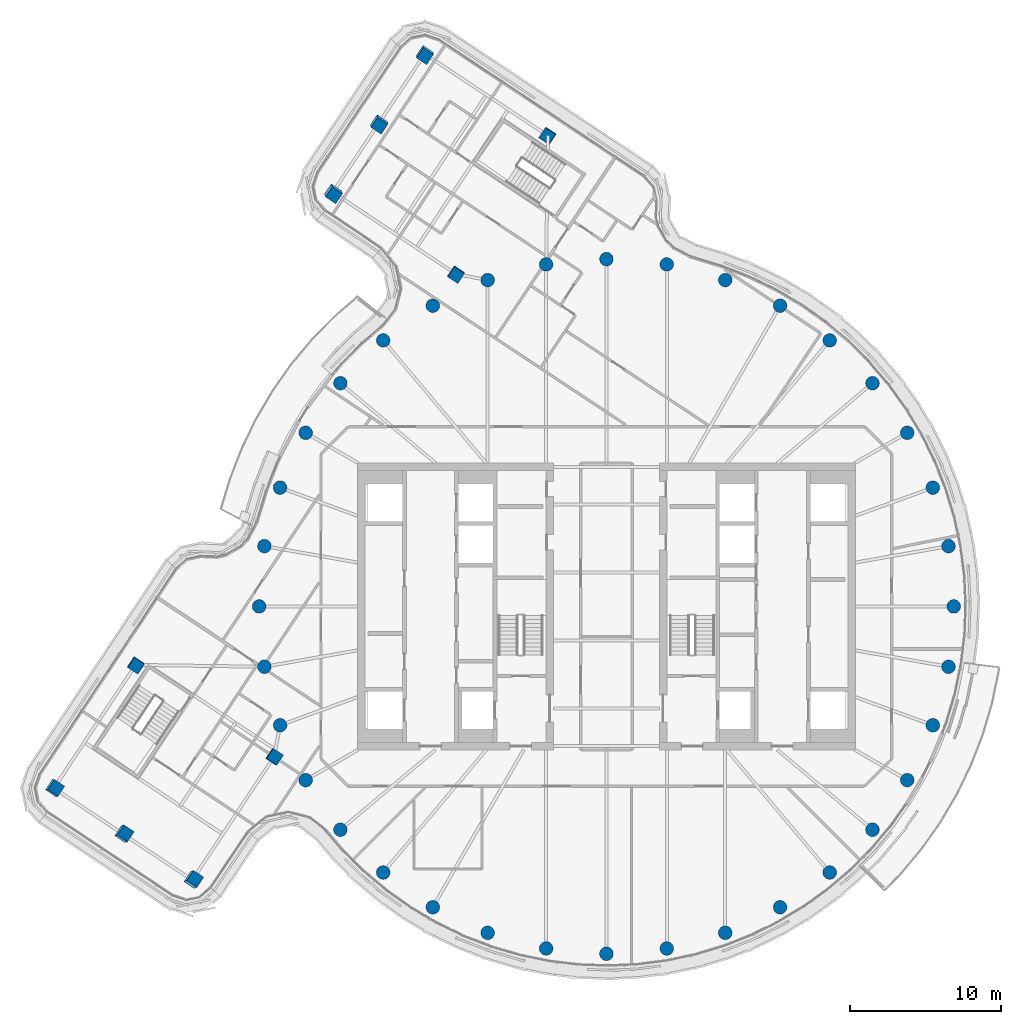
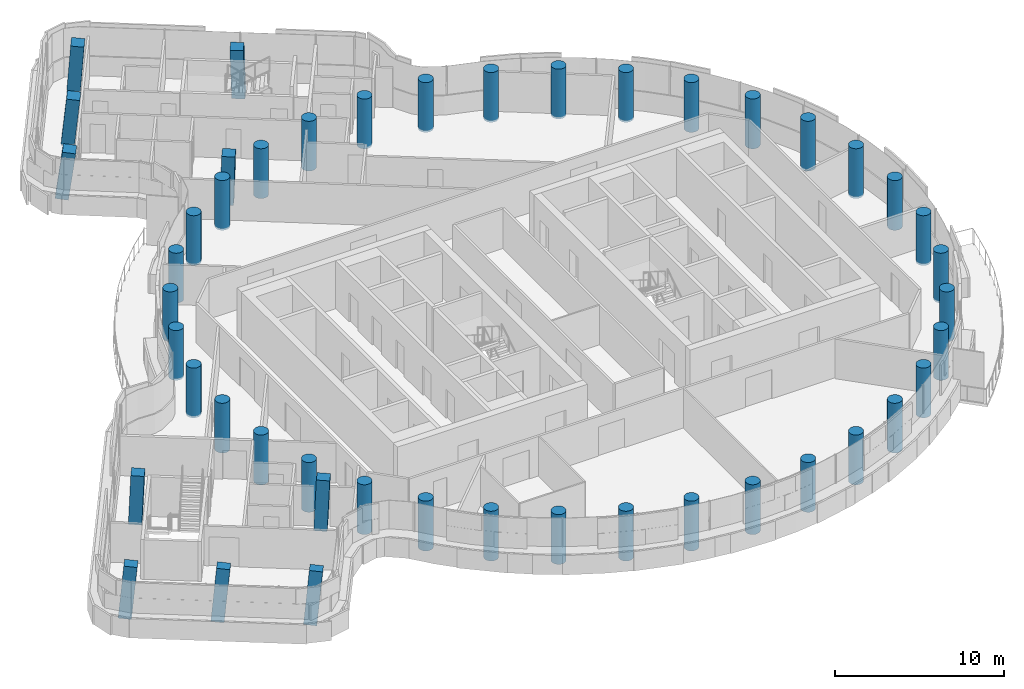
# One storey, part 1 of 27: 46 columns.
"""IFC4 building model written with IfcOpenShell, lengths in metres."""

from ifc_helpers import new_model, si_unit, direction, frame, origin, origin_2d, place, context, subcontext, project, spatial, rectangle, circle, extrude, material, material_profile, profile_set, type_object, element, save


model = new_model("IFC4")

# Units and contexts
model_context = context("Model", 3, precision=1e-05, world=origin(), true_north=direction((0.0, 1.0)))
body_context = subcontext(model_context, "Body", "Model", "MODEL_VIEW")
ifc_project = project(units=[si_unit("LENGTHUNIT", "METRE"), si_unit("AREAUNIT", "SQUARE_METRE"), si_unit("VOLUMEUNIT", "CUBIC_METRE"), si_unit("PLANEANGLEUNIT", "RADIAN"), si_unit("MASSUNIT", "GRAM", prefix="KILO")], contexts=[model_context])

# Site, building, storey
site_placement = place(None, origin())
site = spatial("IfcSite", under=ifc_project, at=site_placement, CompositionType="ELEMENT")
building_placement = place(site_placement, origin())
building = spatial("IfcBuilding", under=site, at=building_placement, Name="Tamarind Cross Interchange Tower", CompositionType="ELEMENT")
storey_placement = place(building_placement, frame((0.0, 0.0, 237.89990234375)))
storey = spatial("IfcBuildingStorey", under=building, at=storey_placement, Name="L60", CompositionType="ELEMENT", Elevation=237.89990234375)

# Columns
ifc_material = material(Name="Concrete C50", Category="concrete")
ifc_material_profile_1 = material_profile(ifc_material, rectangle(XDim=0.800048828125, YDim=0.800048828125, at=origin_2d()), Name="RC 800x800")
ifc_profile_set_1 = profile_set([ifc_material_profile_1], Name="Concrete C50")
column_type_1 = type_object("IfcColumnType", Name="Column RC 800x800 Concrete C50", PredefinedType="COLUMN", material=ifc_profile_set_1)
for number, where, z_axis, x_axis, name in (
    (1, (-9.956787109375, 22.0087890625, -0.138671875), (0.000406675654, -0.050427781113, 0.998727627287), (0.553266552151, 0.831955767854, 0.0417818454), "Column L60-045"),
    (2, (-3.872802734375, 31.1728515625, -0.138671875), (-0.046225617116, -0.019994951685, 0.998730891797), (0.832277328099, -0.553680128862, 0.027436545623), "Column L60-046"),
):
    element("IfcColumn", number, at=place(storey_placement, frame(where, z_axis=z_axis, x_axis=x_axis)), inside=storey, type_object=column_type_1, Name=name, PredefinedType="COLUMN", context=body_context, shape_type="SweptSolid", body=[
        extrude(rectangle(XDim=0.800048828125, YDim=0.800048828125, at=origin_2d()), origin(), (0.0, 0.0, 1.0), 3.60205078125),
    ])
column_1_placement = place(storey_placement, frame((-12.031005859375, 36.589111328125, -0.137939453125), z_axis=(0.009308153852, -0.113653907538, 0.993476797702), x_axis=(0.553677318976, 0.82790501625, 0.089524915633)))
element("IfcColumn", 3, at=column_1_placement, inside=storey, type_object=column_type_1, Name="Column L60-047", PredefinedType="COLUMN", context=body_context, shape_type="SweptSolid", body=[
    extrude(rectangle(XDim=0.800048828125, YDim=0.800048828125, at=origin_2d()), origin(), (0.0, 0.0, 1.0), 3.61962890625),
])
column_2_placement = place(storey_placement, frame((-15.072998046875, 32.007080078125, -0.1376953125), z_axis=(0.032438200901, -0.128474119338, 0.991182205138), x_axis=(0.554677318094, 0.827283694914, 0.089077275005)))
element("IfcColumn", 4, at=column_2_placement, inside=storey, type_object=column_type_1, Name="Column L60-048", PredefinedType="COLUMN", context=body_context, shape_type="SweptSolid", body=[
    extrude(rectangle(XDim=0.800048828125, YDim=0.800048828125, at=origin_2d()), origin(), (0.0, 0.0, 1.0), 3.627685546875),
])
column_3_placement = place(storey_placement, frame((-18.114990234375, 27.4248046875, -0.1376953125), z_axis=(0.055423482647, -0.143054315985, 0.988161778379), x_axis=(0.555548549788, 0.826757793949, 0.088528859549)))
element("IfcColumn", 5, at=column_3_placement, inside=storey, type_object=column_type_1, Name="Column L60-049", PredefinedType="COLUMN", context=body_context, shape_type="SweptSolid", body=[
    extrude(rectangle(XDim=0.800048828125, YDim=0.800048828125, at=origin_2d()), origin(), (0.0, 0.0, 1.0), 3.638427734375),
])
for number, where, z_axis, x_axis, name in (
    (6, (-22.0087890625, -9.956787109375, -0.138671875), (0.050427781113, 0.000406675654, 0.998727627287), (-0.831955767854, 0.553266552151, 0.0417818454), "Column L60-052"),
    (7, (-31.1728515625, -3.872802734375, -0.138671875), (0.019994951685, -0.046225617116, 0.998730891797), (0.553680128862, 0.832277328099, 0.027436545623), "Column L60-053"),
):
    element("IfcColumn", number, at=place(storey_placement, frame(where, z_axis=z_axis, x_axis=x_axis)), inside=storey, type_object=column_type_1, Name=name, PredefinedType="COLUMN", context=body_context, shape_type="SweptSolid", body=[
        extrude(rectangle(XDim=0.800048828125, YDim=0.800048828125, at=origin_2d()), origin(), (0.0, 0.0, 1.0), 3.60205078125),
    ])
column_4_placement = place(storey_placement, frame((-36.589111328125, -12.031005859375, -0.137939453125), z_axis=(0.113653907538, 0.009308153852, 0.993476797702), x_axis=(-0.82790501625, 0.553677318976, 0.089524915633)))
element("IfcColumn", 8, at=column_4_placement, inside=storey, type_object=column_type_1, Name="Column L60-054", PredefinedType="COLUMN", context=body_context, shape_type="SweptSolid", body=[
    extrude(rectangle(XDim=0.800048828125, YDim=0.800048828125, at=origin_2d()), origin(), (0.0, 0.0, 1.0), 3.61962890625),
])
column_5_placement = place(storey_placement, frame((-32.007080078125, -15.072998046875, -0.1376953125), z_axis=(0.128474119338, 0.032438200901, 0.991182205138), x_axis=(-0.827283694914, 0.554677318094, 0.089077275005)))
element("IfcColumn", 9, at=column_5_placement, inside=storey, type_object=column_type_1, Name="Column L60-055", PredefinedType="COLUMN", context=body_context, shape_type="SweptSolid", body=[
    extrude(rectangle(XDim=0.800048828125, YDim=0.800048828125, at=origin_2d()), origin(), (0.0, 0.0, 1.0), 3.627685546875),
])
column_6_placement = place(storey_placement, frame((-27.4248046875, -18.114990234375, -0.1376953125), z_axis=(0.143054315985, 0.055423482647, 0.988161778379), x_axis=(-0.826757793949, 0.555548549788, 0.088528859549)))
element("IfcColumn", 10, at=column_6_placement, inside=storey, type_object=column_type_1, Name="Column L60-056", PredefinedType="COLUMN", context=body_context, shape_type="SweptSolid", body=[
    extrude(rectangle(XDim=0.800048828125, YDim=0.800048828125, at=origin_2d()), origin(), (0.0, 0.0, 1.0), 3.638427734375),
])
ifc_material_profile_2 = material_profile(ifc_material, circle(Radius=0.449951171875, at=origin_2d()), Name="RC D900")
ifc_profile_set_2 = profile_set([ifc_material_profile_2], Name="Concrete C50")
column_type_2 = type_object("IfcColumnType", Name="Column RC D900 Concrete C50", PredefinedType="COLUMN", material=ifc_profile_set_2)
for number, where, z_axis, x_axis, name in (
    (11, (23.0, 0.0, -0.139892578125), (0.0, 0.0, 1.0), (1.0, 0.0, 0.0), "Column L60-000"),
    (12, (22.650634765625, 3.993896484375, -0.139892578125), (0.0, 0.0, 1.0), (1.0, 0.0, 0.0), "Column L60-001"),
    (13, (21.613037109375, 7.866455078125, -0.139892578125), (0.0, 0.0, 1.0), (1.0, 0.0, 0.0), "Column L60-002"),
    (14, (19.918701171875, 11.5, -0.139892578125), (0.0, 0.0, 1.0), (1.0, 0.0, 0.0), "Column L60-003"),
    (15, (17.619140625, 14.7841796875, -0.139892578125), (0.0, 0.0, 1.0), (1.0, 0.0, 0.0), "Column L60-004"),
    (16, (14.7841796875, 17.619140625, -0.139892578125), (0.0, 0.0, 1.0), (1.0, 0.0, 0.0), "Column L60-005"),
    (17, (11.5, 19.918701171875, -0.139892578125), (0.0, 0.0, 1.0), (1.0, 0.0, 0.0), "Column L60-006"),
    (18, (7.866455078125, 21.613037109375, -0.139892578125), (0.0, 0.0, 1.0), (1.0, 0.0, 0.0), "Column L60-007"),
    (19, (3.993896484375, 22.650634765625, -0.139892578125), (0.0, 0.0, 1.0), (1.0, 0.0, 0.0), "Column L60-008"),
    (20, (0.0, 23.0, -0.139892578125), (0.0, 0.0, 1.0), (1.0, 0.0, 0.0), "Column L60-009"),
    (21, (-3.993896484375, 22.650634765625, -0.139892578125), (0.0, 0.0, 1.0), (1.0, 0.0, 0.0), "Column L60-010"),
    (22, (-7.866455078125, 21.613037109375, -0.139892578125), (0.0, 0.0, 1.0), (1.0, 0.0, 0.0), "Column L60-011"),
    (23, (-11.5, 19.918701171875, -0.139892578125), (0.0, 0.0, 1.0), (1.0, 0.0, 0.0), "Column L60-012"),
    (24, (-14.7841796875, 17.619140625, -0.139892578125), (0.0, 0.0, 1.0), (1.0, 0.0, 0.0), "Column L60-013"),
    (25, (-17.619140625, 14.7841796875, -0.139892578125), (0.0, 0.0, 1.0), (1.0, 0.0, 0.0), "Column L60-014"),
    (26, (-19.918701171875, 11.5, -0.139892578125), (0.0, 0.0, 1.0), (1.0, 0.0, 0.0), "Column L60-015"),
    (27, (-21.613037109375, 7.866455078125, -0.139892578125), (0.0, 0.0, 1.0), (1.0, 0.0, 0.0), "Column L60-016"),
    (28, (-22.650634765625, 3.993896484375, -0.139892578125), (0.0, 0.0, 1.0), (1.0, 0.0, 0.0), "Column L60-017"),
    (29, (-23.0, 0.0, -0.139892578125), (0.0, 0.0, 1.0), (1.0, 0.0, 0.0), "Column L60-018"),
    (30, (-22.650634765625, -3.993896484375, -0.139892578125), (0.0, 0.0, 1.0), (1.0, 0.0, 0.0), "Column L60-019"),
    (31, (-21.613037109375, -7.866455078125, -0.139892578125), (0.0, 0.0, 1.0), (1.0, 0.0, 0.0), "Column L60-020"),
    (32, (-19.918701171875, -11.5, -0.139892578125), (0.0, 0.0, 1.0), (1.0, 0.0, 0.0), "Column L60-021"),
    (33, (-17.619140625, -14.7841796875, -0.139892578125), (0.0, 0.0, 1.0), (1.0, 0.0, 0.0), "Column L60-022"),
    (34, (-14.7841796875, -17.619140625, -0.139892578125), (0.0, 0.0, 1.0), (1.0, 0.0, 0.0), "Column L60-023"),
    (35, (-11.5, -19.918701171875, -0.139892578125), (0.0, 0.0, 1.0), (1.0, 0.0, 0.0), "Column L60-024"),
    (36, (-7.866455078125, -21.613037109375, -0.139892578125), (0.0, 0.0, 1.0), (1.0, 0.0, 0.0), "Column L60-025"),
    (37, (-3.993896484375, -22.650634765625, -0.139892578125), (0.0, 0.0, 1.0), (1.0, 0.0, 0.0), "Column L60-026"),
    (38, (0.0, -23.0, -0.139892578125), (0.0, 0.0, 1.0), (1.0, 0.0, 0.0), "Column L60-027"),
    (39, (3.993896484375, -22.650634765625, -0.139892578125), (0.0, 0.0, 1.0), (1.0, 0.0, 0.0), "Column L60-028"),
    (40, (7.866455078125, -21.613037109375, -0.139892578125), (0.0, 0.0, 1.0), (1.0, 0.0, 0.0), "Column L60-029"),
    (41, (11.5, -19.918701171875, -0.139892578125), (0.0, 0.0, 1.0), (1.0, 0.0, 0.0), "Column L60-030"),
    (42, (14.7841796875, -17.619140625, -0.139892578125), (0.0, 0.0, 1.0), (1.0, 0.0, 0.0), "Column L60-031"),
    (43, (17.619140625, -14.7841796875, -0.139892578125), (0.0, 0.0, 1.0), (1.0, 0.0, 0.0), "Column L60-032"),
    (44, (19.918701171875, -11.5, -0.139892578125), (0.0, 0.0, 1.0), (1.0, 0.0, 0.0), "Column L60-033"),
    (45, (21.613037109375, -7.866455078125, -0.139892578125), (0.0, 0.0, 1.0), (1.0, 0.0, 0.0), "Column L60-034"),
    (46, (22.650634765625, -3.993896484375, -0.139892578125), (0.0, 0.0, 1.0), (1.0, 0.0, 0.0), "Column L60-035"),
):
    element("IfcColumn", number, at=place(storey_placement, frame(where, z_axis=z_axis, x_axis=x_axis)), inside=storey, type_object=column_type_2, Name=name, PredefinedType="COLUMN", context=body_context, shape_type="SweptSolid", body=[
        extrude(circle(Radius=0.449951171875, at=origin_2d()), origin(), (0.0, 0.0, 1.0), 3.60009765625),
    ])

save(model, "model.ifc")
